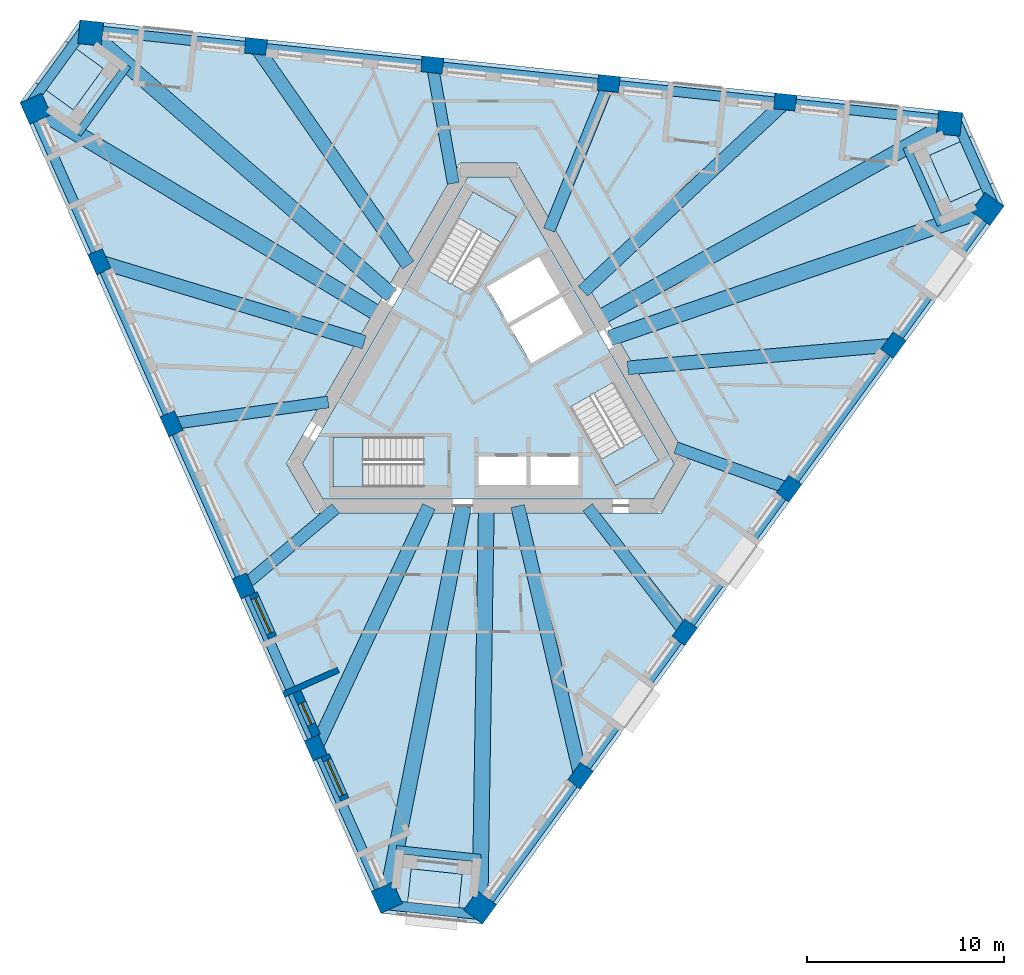
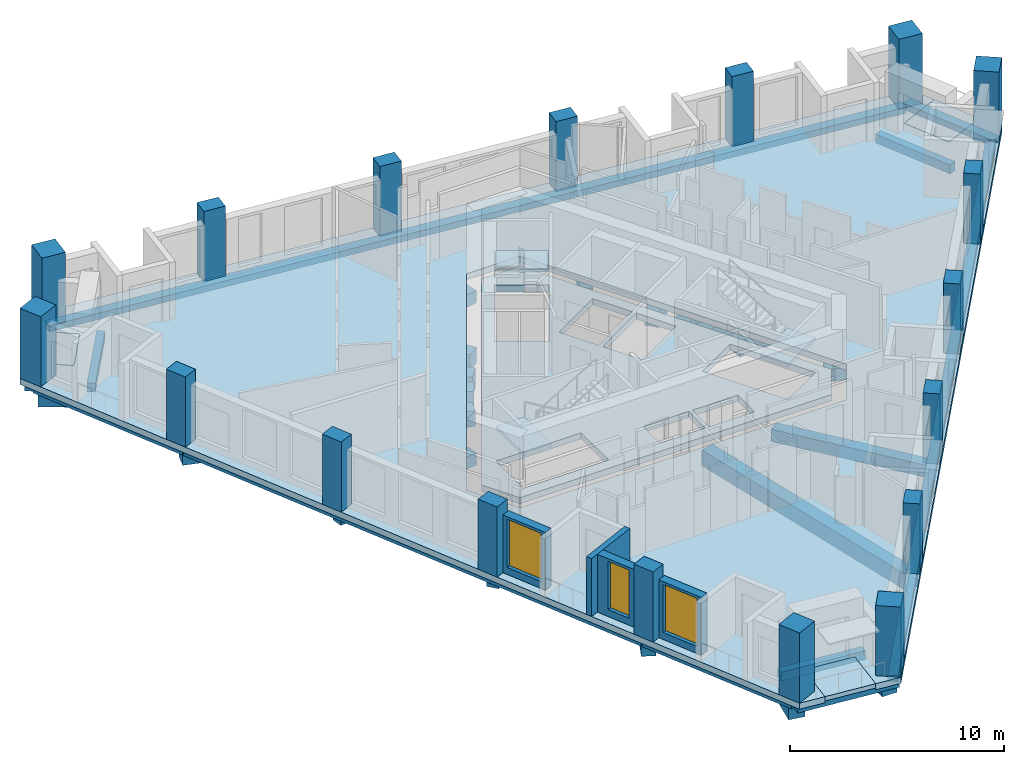
# One storey, part 1 of 11: 27 beams, 18 columns, 8 slabs, 4 walls, 3 windows, 3 openings, 3 elements without a shape of their own.
"""IFC4 building model written with IfcOpenShell, lengths in metres."""

from ifc_helpers import new_model, si_unit, direction, frame, frame_2d, origin, origin_2d, place, context, subcontext, project, spatial, polyline, rectangle, outline, extrude, material, layer, layer_set, material_profile, profile_set, type_object, element, fill, aggregate, save


model = new_model("IFC4")

# Units and contexts
model_context = context("Model", 3, precision=1e-05, world=origin(), true_north=direction((0.0, 1.0)))
body_context = subcontext(model_context, "Body", "Model", "MODEL_VIEW")
ifc_project = project(units=[si_unit("LENGTHUNIT", "METRE"), si_unit("AREAUNIT", "SQUARE_METRE"), si_unit("VOLUMEUNIT", "CUBIC_METRE"), si_unit("PLANEANGLEUNIT", "RADIAN"), si_unit("MASSUNIT", "GRAM", prefix="KILO")], contexts=[model_context])

# Site, building, storey
site_placement = place(None, origin())
site = spatial("IfcSite", under=ifc_project, at=site_placement, CompositionType="ELEMENT")
building_placement = place(site_placement, origin())
building = spatial("IfcBuilding", under=site, at=building_placement, Name="Tramontana Tower", CompositionType="ELEMENT")
storey_placement = place(building_placement, frame((0.0, 0.0, 261.199951171875)))
storey = spatial("IfcBuildingStorey", under=building, at=storey_placement, Name="L61", CompositionType="ELEMENT", Elevation=261.199951171875)

# Columns
ifc_material_1 = material(Name="Concrete 55 MPa", Category="concrete")
ifc_material_profile_1 = material_profile(ifc_material_1, rectangle(XDim=1.199951171875, YDim=1.199951171875, at=origin_2d()), Name="Mega column 1200X1200 55 MPa")
ifc_profile_set_1 = profile_set([ifc_material_profile_1], Name="Concrete 55 MPa")
column_type_1 = type_object("IfcColumnType", Name="Mega column 1200X1200 55 MPa", PredefinedType="COLUMN", material=ifc_profile_set_1)
for number, where, z_axis, x_axis, name in (
    (1, (-22.98291015625, 13.758056640625, 0.0), (0.0, 0.0, 1.0), (0.406736643076, -0.913545457643, 0.0), "Mega column C6K1 L61"),
    (2, (-5.154296875, -26.28564453125, 0.0), (0.0, 0.0, 1.0), (0.406736643076, -0.913545457643, 0.0), "Mega column C6K2 L61"),
    (3, (-0.42333984375, -26.782958984375, 0.0), (0.0, 0.0, 1.0), (0.587785252292, 0.809016994375, 0.0), "Mega column C6K3 L61"),
    (4, (25.341064453125, 8.678955078125, 0.0), (0.0, 0.0, 1.0), (0.587785252292, 0.809016994375, 0.0), "Mega column C6K4 L61"),
    (5, (23.40625, 13.024658203125, 0.0), (0.0, 0.0, 1.0), (-0.994521895368, 0.104528463268, 0.0), "Mega column C6K5 L61"),
    (6, (-20.186767578125, 17.6064453125, 0.0), (0.0, 0.0, 1.0), (-0.994521895368, 0.104528463268, 0.0), "Mega column C6K6 L61"),
):
    element("IfcColumn", number, at=place(storey_placement, frame(where, z_axis=z_axis, x_axis=x_axis)), inside=storey, type_object=column_type_1, Name=name, PredefinedType="COLUMN", context=body_context, shape_type="SweptSolid", body=[
        extrude(rectangle(XDim=1.199951171875, YDim=1.199951171875, at=origin_2d()), origin(), (0.0, 0.0, 1.0), 4.0),
    ])
ifc_material_2 = material(Name="Concrete 55 MPa", Category="concrete")
ifc_material_profile_2 = material_profile(ifc_material_2, rectangle(XDim=1.10009765625, YDim=0.800048828125, at=origin_2d()), Name="Pier column 1100X800 55 MPa")
ifc_profile_set_2 = profile_set([ifc_material_profile_2], Name="Concrete 55 MPa")
column_type_2 = type_object("IfcColumnType", Name="Pier column 1100X800 55 MPa", PredefinedType="COLUMN", material=ifc_profile_set_2)
for number, where, z_axis, x_axis, name in (
    (7, (-19.746337890625, 5.996826171875, 0.0), (0.0, 0.0, 1.0), (0.406736643076, -0.913545457643, 0.0), "Pier column C6F01 L61"),
    (8, (-16.0830078125, -2.231201171875, 0.0), (0.0, 0.0, 1.0), (0.406736643076, -0.913545457643, 0.0), "Pier column C6F02 L61"),
    (9, (-12.419677734375, -10.458984375, 0.0), (0.0, 0.0, 1.0), (0.406736643076, -0.913545457643, 0.0), "Pier column C6F03 L61"),
    (10, (-8.75634765625, -18.68701171875, 0.0), (0.0, 0.0, 1.0), (0.406736643076, -0.913545457643, 0.0), "Pier column C6F04 L61"),
    (11, (4.6796875, -20.099365234375, 0.0), (0.0, 0.0, 1.0), (0.587785252292, 0.809016994375, 0.0), "Pier column C6F05 L61"),
    (12, (9.9736328125, -12.812744140625, 0.0), (0.0, 0.0, 1.0), (0.587785252292, 0.809016994375, 0.0), "Pier column C6F06 L61"),
    (13, (15.267578125, -5.526123046875, 0.0), (0.0, 0.0, 1.0), (0.587785252292, 0.809016994375, 0.0), "Pier column C6F07 L61"),
    (14, (20.5615234375, 1.76025390625, 0.0), (0.0, 0.0, 1.0), (0.587785252292, 0.809016994375, 0.0), "Pier column C6F08 L61"),
    (15, (15.066650390625, 14.102294921875, 0.0), (0.0, 0.0, 1.0), (-0.994521895368, 0.104528463268, 0.0), "Pier column C6F09 L61"),
    (16, (6.109375, 15.043701171875, 0.0), (0.0, 0.0, 1.0), (-0.994521895368, 0.104528463268, 0.0), "Pier column C6F10 L61"),
    (17, (-2.847900390625, 15.9853515625, 0.0), (0.0, 0.0, 1.0), (-0.994521895368, 0.104528463268, 0.0), "Pier column C6F11 L61"),
    (18, (-11.805419921875, 16.9267578125, 0.0), (0.0, 0.0, 1.0), (-0.994521895368, 0.104528463268, 0.0), "Pier column C6F12 L61"),
):
    element("IfcColumn", number, at=place(storey_placement, frame(where, z_axis=z_axis, x_axis=x_axis)), inside=storey, type_object=column_type_2, Name=name, PredefinedType="COLUMN", context=body_context, shape_type="SweptSolid", body=[
        extrude(rectangle(XDim=1.10009765625, YDim=0.800048828125, at=origin_2d()), origin(), (0.0, 0.0, 1.0), 4.0),
    ])

# Beams
ifc_material_3 = material(Name="Concrete 40 MPa", Category="concrete")
ifc_material_profile_3 = material_profile(ifc_material_3, rectangle(XDim=0.5, YDim=0.35009765625, at=origin_2d()), Name="RC EDGE BEAM 500X350 40 MPa")
ifc_profile_set_3 = profile_set([ifc_material_profile_3], Name="Concrete 40 MPa")
beam_type_1 = type_object("IfcBeamType", Name="RC EDGE BEAM 500X350 40 MPa", PredefinedType="SPANDREL", material=ifc_profile_set_3)
for number, where, z_axis, x_axis, name in (
    (19, (-23.119873046875, 13.697021484375, -0.52490234375), (0.406736811644, -0.913545382591, 0.0), (0.913545382591, 0.406736811644, 0.0), "Spandrel beam S0 L61"),
    (20, (-0.302001953125, -26.87109375, -0.52490234375), (0.587782498957, 0.809018994783, 0.0), (-0.809018994783, 0.587782498957, 0.0), "Spandrel beam S1 L61"),
):
    element("IfcBeam", number, at=place(storey_placement, frame(where, z_axis=z_axis, x_axis=x_axis)), inside=storey, type_object=beam_type_1, Name=name, PredefinedType="SPANDREL", context=body_context, shape_type="SweptSolid", body=[
        extrude(rectangle(XDim=0.5, YDim=0.35009765625, at=origin_2d()), origin(), (0.0, 0.0, 1.0), 43.833251953125),
    ])
beam_1_placement = place(storey_placement, frame((23.422119140625, 13.173828125, -0.52490234375), z_axis=(-0.994522012351, 0.104527350249, 0.0), x_axis=(-0.104527350249, -0.994522012351, 0.0)))
element("IfcBeam", 21, at=beam_1_placement, inside=storey, type_object=beam_type_1, Name="Spandrel beam S2 L61", PredefinedType="SPANDREL", context=body_context, shape_type="SweptSolid", body=[
    extrude(rectangle(XDim=0.5, YDim=0.35009765625, at=origin_2d()), origin(), (0.0, 0.0, 1.0), 43.83349609375),
])
for number, where, z_axis, x_axis, name in (
    (22, (-20.356689453125, 18.00146484375, -0.52490234375), (-0.587774926142, -0.809024496662, 0.0), (0.809024496662, -0.587774926142, 0.0), "Spandrel beam K0 L61"),
    (23, (-5.411376953125, -26.630126953125, -0.52490234375), (0.994520631958, -0.104540483116, 0.0), (0.104540483116, 0.994520631958, 0.0), "Spandrel beam K1 L61"),
):
    element("IfcBeam", number, at=place(storey_placement, frame(where, z_axis=z_axis, x_axis=x_axis)), inside=storey, type_object=beam_type_1, Name=name, PredefinedType="SPANDREL", context=body_context, shape_type="SweptSolid", body=[
        extrude(rectangle(XDim=0.5, YDim=0.35009765625, at=origin_2d()), origin(), (0.0, 0.0, 1.0), 5.1962890625),
    ])
beam_2_placement = place(storey_placement, frame((25.76806640625, 8.62890625, -0.52490234375), z_axis=(-0.406713847213, 0.913555606674, 0.0), x_axis=(-0.913555606674, -0.406713847213, 0.0)))
element("IfcBeam", 24, at=beam_2_placement, inside=storey, type_object=beam_type_1, Name="Spandrel beam K2 L61", PredefinedType="SPANDREL", context=body_context, shape_type="SweptSolid", body=[
    extrude(rectangle(XDim=0.5, YDim=0.35009765625, at=origin_2d()), origin(), (0.0, 0.0, 1.0), 5.196044921875),
])
ifc_material_4 = material(Name="Concrete 40 MPa", Category="concrete")
ifc_material_profile_4 = material_profile(ifc_material_4, rectangle(XDim=0.60009765625, YDim=0.699951171875, at=origin_2d()), Name="RC GIRDER 600X700 40 MPa")
ifc_profile_set_4 = profile_set([ifc_material_profile_4], Name="Concrete 40 MPa")
beam_type_2 = type_object("IfcBeamType", Name="RC GIRDER 600X700 40 MPa", PredefinedType="BEAM", material=ifc_profile_set_4)
beam_3_placement = place(storey_placement, frame((-16.0830078125, -2.231201171875, -0.699951171875), z_axis=(0.990511014631, 0.13743336529, 0.0), x_axis=(-0.13743336529, 0.990511014631, 0.0)))
element("IfcBeam", 25, at=beam_3_placement, inside=storey, type_object=beam_type_2, Name="Radial girder C6F02 L61", PredefinedType="BEAM", context=body_context, shape_type="SweptSolid", body=[
    extrude(rectangle(XDim=0.60009765625, YDim=0.699951171875, at=origin_2d()), origin(), (0.0, 0.0, 1.0), 8.032958984375),
])
beam_4_placement = place(storey_placement, frame((-12.419677734375, -10.458984375, -0.699951171875), z_axis=(0.7648987601, 0.644150515638, 0.0), x_axis=(-0.644150515638, 0.7648987601, 0.0)))
element("IfcBeam", 26, at=beam_4_placement, inside=storey, type_object=beam_type_2, Name="Radial girder C6F03 L61", PredefinedType="BEAM", context=body_context, shape_type="SweptSolid", body=[
    extrude(rectangle(XDim=0.60009765625, YDim=0.699951171875, at=origin_2d()), origin(), (0.0, 0.0, 1.0), 6.108154296875),
])
beam_5_placement = place(storey_placement, frame((9.9736328125, -12.812744140625, -0.699951171875), z_axis=(-0.614258279955, 0.789105040857, 0.0), x_axis=(-0.789105040857, -0.614258279955, 0.0)))
element("IfcBeam", 27, at=beam_5_placement, inside=storey, type_object=beam_type_2, Name="Radial girder C6F06 L61", PredefinedType="BEAM", context=body_context, shape_type="SweptSolid", body=[
    extrude(rectangle(XDim=0.60009765625, YDim=0.699951171875, at=origin_2d()), origin(), (0.0, 0.0, 1.0), 8.032958984375),
])
beam_6_placement = place(storey_placement, frame((15.267578125, -5.526123046875, -0.699951171875), z_axis=(-0.940300037895, 0.34034664496, 0.0), x_axis=(-0.34034664496, -0.940300037895, 0.0)))
element("IfcBeam", 28, at=beam_6_placement, inside=storey, type_object=beam_type_2, Name="Radial girder C6F07 L61", PredefinedType="BEAM", context=body_context, shape_type="SweptSolid", body=[
    extrude(rectangle(XDim=0.60009765625, YDim=0.699951171875, at=origin_2d()), origin(), (0.0, 0.0, 1.0), 6.108154296875),
])
beam_7_placement = place(storey_placement, frame((6.109375, 15.043701171875, -0.699951171875), z_axis=(-0.376258836782, -0.92651459122, 0.0), x_axis=(0.92651459122, -0.376258836782, 0.0)))
element("IfcBeam", 29, at=beam_7_placement, inside=storey, type_object=beam_type_2, Name="Radial girder C6F10 L61", PredefinedType="BEAM", context=body_context, shape_type="SweptSolid", body=[
    extrude(rectangle(XDim=0.60009765625, YDim=0.699951171875, at=origin_2d()), origin(), (0.0, 0.0, 1.0), 8.032958984375),
])
beam_8_placement = place(storey_placement, frame((-2.847900390625, 15.9853515625, -0.699951171875), z_axis=(0.175388058889, -0.984499379786, 0.0), x_axis=(0.984499379786, 0.175388058889, 0.0)))
element("IfcBeam", 30, at=beam_8_placement, inside=storey, type_object=beam_type_2, Name="Radial girder C6F11 L61", PredefinedType="BEAM", context=body_context, shape_type="SweptSolid", body=[
    extrude(rectangle(XDim=0.60009765625, YDim=0.699951171875, at=origin_2d()), origin(), (0.0, 0.0, 1.0), 6.108154296875),
])
ifc_material_5 = material(Name="Concrete 40 MPa", Category="concrete")
ifc_material_profile_5 = material_profile(ifc_material_5, rectangle(XDim=0.699951171875, YDim=0.89990234375, at=origin_2d()), Name="RC GIRDER 700X900 40 MPa")
ifc_profile_set_5 = profile_set([ifc_material_profile_5], Name="Concrete 40 MPa")
beam_type_3 = type_object("IfcBeamType", Name="RC GIRDER 700X900 40 MPa", PredefinedType="BEAM", material=ifc_profile_set_5)
beam_9_placement = place(storey_placement, frame((-19.746337890625, 5.996826171875, -0.800048828125), z_axis=(0.956850397844, -0.290580997566, 0.0), x_axis=(0.290580997566, 0.956850397844, 0.0)))
element("IfcBeam", 31, at=beam_9_placement, inside=storey, type_object=beam_type_3, Name="Radial girder C6F01 L61", PredefinedType="BEAM", context=body_context, shape_type="SweptSolid", body=[
    extrude(rectangle(XDim=0.699951171875, YDim=0.89990234375, at=origin_2d()), origin(), (0.0, 0.0, 1.0), 14.05615234375),
])
beam_10_placement = place(storey_placement, frame((-8.75634765625, -18.68701171875, -0.800048828125), z_axis=(0.424308147915, 0.90551786046, 0.0), x_axis=(-0.90551786046, 0.424308147915, 0.0)))
element("IfcBeam", 32, at=beam_10_placement, inside=storey, type_object=beam_type_3, Name="Radial girder C6F04 L61", PredefinedType="BEAM", context=body_context, shape_type="SweptSolid", body=[
    extrude(rectangle(XDim=0.699951171875, YDim=0.89990234375, at=origin_2d()), origin(), (0.0, 0.0, 1.0), 13.532470703125),
])
beam_11_placement = place(storey_placement, frame((4.6796875, -20.099365234375, -0.800048828125), z_axis=(-0.22676563163, 0.973949356133, 0.0), x_axis=(-0.973949356133, -0.22676563163, 0.0)))
element("IfcBeam", 33, at=beam_11_placement, inside=storey, type_object=beam_type_3, Name="Radial girder C6F05 L61", PredefinedType="BEAM", context=body_context, shape_type="SweptSolid", body=[
    extrude(rectangle(XDim=0.699951171875, YDim=0.89990234375, at=origin_2d()), origin(), (0.0, 0.0, 1.0), 14.056396484375),
])
beam_12_placement = place(storey_placement, frame((20.5615234375, 1.760498046875, -0.800048828125), z_axis=(-0.996353926175, -0.085316198904, 0.0), x_axis=(0.085316198904, -0.996353926175, 0.0)))
element("IfcBeam", 34, at=beam_12_placement, inside=storey, type_object=beam_type_3, Name="Radial girder C6F08 L61", PredefinedType="BEAM", context=body_context, shape_type="SweptSolid", body=[
    extrude(rectangle(XDim=0.699951171875, YDim=0.89990234375, at=origin_2d()), origin(), (0.0, 0.0, 1.0), 13.532470703125),
])
beam_13_placement = place(storey_placement, frame((15.066650390625, 14.102294921875, -0.800048828125), z_axis=(-0.730089981105, -0.683351022162, 0.0), x_axis=(0.683351022162, -0.730089981105, 0.0)))
element("IfcBeam", 35, at=beam_13_placement, inside=storey, type_object=beam_type_3, Name="Radial girder C6F09 L61", PredefinedType="BEAM", context=body_context, shape_type="SweptSolid", body=[
    extrude(rectangle(XDim=0.699951171875, YDim=0.89990234375, at=origin_2d()), origin(), (0.0, 0.0, 1.0), 14.056396484375),
])
beam_14_placement = place(storey_placement, frame((-11.805419921875, 16.9267578125, -0.800048828125), z_axis=(0.5720593984, -0.820212194924, 0.0), x_axis=(0.820212194924, 0.5720593984, 0.0)))
element("IfcBeam", 36, at=beam_14_placement, inside=storey, type_object=beam_type_3, Name="Radial girder C6F12 L61", PredefinedType="BEAM", context=body_context, shape_type="SweptSolid", body=[
    extrude(rectangle(XDim=0.699951171875, YDim=0.89990234375, at=origin_2d()), origin(), (0.0, 0.0, 1.0), 13.53271484375),
])
ifc_material_6 = material(Name="Concrete 40 MPa", Category="concrete")
ifc_material_profile_6 = material_profile(ifc_material_6, rectangle(XDim=0.800048828125, YDim=1.10009765625, at=origin_2d()), Name="RC GIRDER 800X1100 40 MPa")
ifc_profile_set_6 = profile_set([ifc_material_profile_6], Name="Concrete 40 MPa")
beam_type_4 = type_object("IfcBeamType", Name="RC GIRDER 800X1100 40 MPa", PredefinedType="BEAM", material=ifc_profile_set_6)
beam_15_placement = place(storey_placement, frame((-22.98291015625, 13.758056640625, -0.89990234375), z_axis=(0.858014507948, -0.513625451229, 0.0), x_axis=(0.513625451229, 0.858014507948, 0.0)))
element("IfcBeam", 37, at=beam_15_placement, inside=storey, type_object=beam_type_4, Name="Radial girder C6K1 L61", PredefinedType="BEAM", context=body_context, shape_type="SweptSolid", body=[
    extrude(rectangle(XDim=0.800048828125, YDim=1.10009765625, at=origin_2d()), origin(), (0.0, 0.0, 1.0), 20.385498046875),
])
beam_16_placement = place(storey_placement, frame((-5.154296875, -26.28564453125, -0.89990234375), z_axis=(0.192429707164, 0.981310760056, 0.0), x_axis=(-0.981310760056, 0.192429707164, 0.0)))
element("IfcBeam", 38, at=beam_16_placement, inside=storey, type_object=beam_type_4, Name="Radial girder C6K2 L61", PredefinedType="BEAM", context=body_context, shape_type="SweptSolid", body=[
    extrude(rectangle(XDim=0.800048828125, YDim=1.10009765625, at=origin_2d()), origin(), (0.0, 0.0, 1.0), 20.2578125),
])
beam_17_placement = place(storey_placement, frame((-0.42333984375, -26.78271484375, -0.89990234375), z_axis=(0.015796706362, 0.99987522425, 0.0), x_axis=(-0.99987522425, 0.015796706362, 0.0)))
element("IfcBeam", 39, at=beam_17_placement, inside=storey, type_object=beam_type_4, Name="Radial girder C6K3 L61", PredefinedType="BEAM", context=body_context, shape_type="SweptSolid", body=[
    extrude(rectangle(XDim=0.800048828125, YDim=1.10009765625, at=origin_2d()), origin(), (0.0, 0.0, 1.0), 20.38525390625),
])
beam_18_placement = place(storey_placement, frame((25.34130859375, 8.67919921875, -0.89990234375), z_axis=(-0.946050478935, -0.324019276136, 0.0), x_axis=(0.324019276136, -0.946050478935, 0.0)))
element("IfcBeam", 40, at=beam_18_placement, inside=storey, type_object=beam_type_4, Name="Radial girder C6K4 L61", PredefinedType="BEAM", context=body_context, shape_type="SweptSolid", body=[
    extrude(rectangle(XDim=0.800048828125, YDim=1.10009765625, at=origin_2d()), origin(), (0.0, 0.0, 1.0), 20.258056640625),
])
beam_19_placement = place(storey_placement, frame((23.40625, 13.024658203125, -0.89990234375), z_axis=(-0.873818675449, -0.486251912528, 0.0), x_axis=(0.486251912528, -0.873818675449, 0.0)))
element("IfcBeam", 41, at=beam_19_placement, inside=storey, type_object=beam_type_4, Name="Radial girder C6K5 L61", PredefinedType="BEAM", context=body_context, shape_type="SweptSolid", body=[
    extrude(rectangle(XDim=0.800048828125, YDim=1.10009765625, at=origin_2d()), origin(), (0.0, 0.0, 1.0), 20.38525390625),
])
beam_20_placement = place(storey_placement, frame((-20.18701171875, 17.606689453125, -0.89990234375), z_axis=(0.753629135933, -0.657299874846, 0.0), x_axis=(0.657299874846, 0.753629135933, 0.0)))
element("IfcBeam", 42, at=beam_20_placement, inside=storey, type_object=beam_type_4, Name="Radial girder C6K6 L61", PredefinedType="BEAM", context=body_context, shape_type="SweptSolid", body=[
    extrude(rectangle(XDim=0.800048828125, YDim=1.10009765625, at=origin_2d()), origin(), (0.0, 0.0, 1.0), 20.2578125),
])
ifc_material_7 = material(Name="Concrete 40 MPa", Category="concrete")
ifc_material_profile_7 = material_profile(ifc_material_7, rectangle(XDim=0.39990234375, YDim=0.5, at=origin_2d()), Name="RC TRIM BEAM 400X500 40 MPa")
ifc_profile_set_7 = profile_set([ifc_material_profile_7], Name="Concrete 40 MPa")
beam_type_5 = type_object("IfcBeamType", Name="RC TRIM BEAM 400X500 40 MPa", PredefinedType="JOIST", material=ifc_profile_set_7)
for number, where, z_axis, x_axis, name in (
    (43, (-18.310302734375, 15.9697265625, -0.599853515625), (-0.587744325324, -0.809046727976, 0.0), (0.809046727976, -0.587744325324, 0.0), "Trimmer beam K0 L61"),
    (44, (-4.675048828125, -23.841796875, -0.599853515625), (0.994517847883, -0.104566965344, 0.0), (0.104566965344, 0.994517847883, 0.0), "Trimmer beam K1 L61"),
    (45, (22.9853515625, 7.872314453125, -0.599853515625), (-0.406773611719, 0.913528997246, 0.0), (-0.913528997246, -0.406773611719, 0.0), "Trimmer beam K2 L61"),
):
    element("IfcBeam", number, at=place(storey_placement, frame(where, z_axis=z_axis, x_axis=x_axis)), inside=storey, type_object=beam_type_5, Name=name, PredefinedType="JOIST", context=body_context, shape_type="SweptSolid", body=[
        extrude(rectangle(XDim=0.39990234375, YDim=0.5, at=origin_2d()), origin(), (0.0, 0.0, 1.0), 4.314697265625),
    ])

# Slabs
ifc_material_8 = material(Name="Precast concrete 50 MPa", Category="concrete")
ifc_layer_1 = layer(ifc_material_8, 0.25)
ifc_layer_set_1 = layer_set([ifc_layer_1], Name="LT1 Loggia floor tray 250")
slab_type_1 = type_object("IfcSlabType", Name="LT1 Loggia floor tray 250", PredefinedType="FLOOR", material=ifc_layer_set_1)
slab_1_placement = place(storey_placement, frame((0.0, 0.0, -0.25)))
element("IfcSlab", 46, at=slab_1_placement, inside=storey, type_object=slab_type_1, Name="Corner loggia floor L61 K60", PredefinedType="FLOOR", context=body_context, shape_type="SweptSolid", body=[
    extrude(outline(polyline([(-21.48388671875, 17.2158203125), (-19.542236328125, 15.80517578125), (-21.070556640625, 13.70166015625), (-23.01220703125, 15.1123046875), (-21.48388671875, 17.2158203125)])), origin(), (0.0, 0.0, 1.0), 0.25),
])
slab_2_placement = place(storey_placement, frame((0.0, 0.0, -0.25)))
element("IfcSlab", 47, at=slab_2_placement, inside=storey, type_object=slab_type_1, Name="Corner loggia floor L61 K61", PredefinedType="FLOOR", context=body_context, shape_type="SweptSolid", body=[
    extrude(outline(polyline([(-4.16748046875, -27.21337890625), (-3.91650390625, -24.82666015625), (-1.330810546875, -25.098388671875), (-1.58154296875, -27.4853515625), (-4.16748046875, -27.21337890625)])), origin(), (0.0, 0.0, 1.0), 0.25),
])
slab_3_placement = place(storey_placement, frame((0.0, 0.0, -0.25)))
element("IfcSlab", 48, at=slab_3_placement, inside=storey, type_object=slab_type_1, Name="Corner loggia floor L61 K62", PredefinedType="FLOOR", context=body_context, shape_type="SweptSolid", body=[
    extrude(outline(polyline([(25.6513671875, 9.99755859375), (23.458740234375, 9.021484375), (22.401123046875, 11.396728515625), (24.59375, 12.372802734375), (25.6513671875, 9.99755859375)])), origin(), (0.0, 0.0, 1.0), 0.25),
])
ifc_material_9 = material(Name="Concrete 40 MPa", Category="concrete")
ifc_layer_2 = layer(ifc_material_9, 0.35009765625)
ifc_layer_set_2 = layer_set([ifc_layer_2], Name="PT FLAT SLAB 350 40 MPa")
slab_type_2 = type_object("IfcSlabType", Name="PT FLAT SLAB 350 40 MPa", PredefinedType="FLOOR", material=ifc_layer_set_2)
slab_4_placement = place(storey_placement, frame((0.0, 0.0, -0.349853515625)))
element("IfcSlab", 49, at=slab_4_placement, inside=storey, type_object=slab_type_2, Name="Floor slab L61", PredefinedType="FLOOR", context=body_context, shape_type="SweptSolid", body=[
    extrude(outline(polyline([(24.59375, 12.372802734375), (22.401123046875, 11.396728515625), (23.458740234375, 9.021484375), (25.6513671875, 9.99755859375), (26.17919921875, 8.811767578125), (-0.290771484375, -27.620849609375), (-1.581787109375, -27.485107421875), (-1.330810546875, -25.098388671875), (-3.91650390625, -24.82666015625), (-4.16748046875, -27.21337890625), (-5.45849609375, -27.077880859375), (-23.775146484375, 14.062255859375), (-23.01220703125, 15.1123046875), (-21.0703125, 13.70166015625), (-19.542236328125, 15.80517578125), (-21.48388671875, 17.2158203125), (-20.720947265625, 18.26611328125), (24.06591796875, 13.55859375), (24.59375, 12.372802734375)]), holes=[polyline([(-10.248046875, -4.25), (-8.8046875, -6.75), (8.8046875, -6.75), (10.248046875, -4.25), (1.443359375, 11.0), (-1.443359375, 11.0), (-10.248046875, -4.25)])]), origin(), (0.0, 0.0, 1.0), 0.349853515625),
])
slab_5_placement = place(storey_placement, frame((0.0, 0.0, -0.349853515625)))
element("IfcSlab", 50, at=slab_5_placement, inside=storey, type_object=slab_type_2, Name="Core floor slab L61", PredefinedType="FLOOR", context=body_context, shape_type="SweptSolid", body=[
    extrude(outline(polyline([(9.439697265625, -4.25), (8.400390625, -6.050048828125), (-8.400390625, -6.050048828125), (-9.439697265625, -4.25), (-1.039306640625, 10.300048828125), (1.039306640625, 10.300048828125), (9.439697265625, -4.25)]), holes=[polyline([(8.659912109375, -4.099365234375), (6.35986328125, -0.115478515625), (4.151611328125, -1.390625), (6.451416015625, -5.374267578125), (8.659912109375, -4.099365234375)]), polyline([(3.829833984375, 4.2666015625), (1.101806640625, 2.69140625), (2.177001953125, 0.82958984375), (4.90478515625, 2.404541015625), (3.829833984375, 4.2666015625)]), polyline([(4.590087890625, -3.89990234375), (2.139892578125, -3.89990234375), (2.139892578125, -5.449951171875), (4.590087890625, -5.449951171875), (4.590087890625, -3.89990234375)]), polyline([(2.65478515625, 6.3017578125), (-0.072998046875, 4.726806640625), (1.001953125, 2.86474609375), (3.729736328125, 4.439697265625), (2.65478515625, 6.3017578125)]), polyline([(1.93994140625, -5.449951171875), (1.93994140625, -3.89990234375), (-0.510009765625, -3.89990234375), (-0.510009765625, -5.449951171875), (1.93994140625, -5.449951171875)]), polyline([(-0.77978515625, 9.54931640625), (-3.079833984375, 5.565673828125), (-0.87158203125, 4.29052734375), (1.428466796875, 8.2744140625), (-0.77978515625, 9.54931640625)]), polyline([(-7.8798828125, -5.449951171875), (-3.280029296875, -5.449951171875), (-3.280029296875, -2.89990234375), (-7.8798828125, -2.89990234375), (-7.8798828125, -5.449951171875)])]), origin(), (0.0, 0.0, 1.0), 0.349853515625),
])

# Stair, slab
ifc_material_10 = material(Name="Concrete 40 MPa", Category="concrete")
stair_type = type_object("IfcStairType", Name="EXIT STAIR 24 RISERS", PredefinedType="HALF_TURN_STAIR", material=ifc_material_10)
stair_1_placement = place(storey_placement, origin())
stair_1 = element("IfcStair", 51, at=stair_1_placement, inside=storey, type_object=stair_type, Name="L61 Exit stair ST1", PredefinedType="HALF_TURN_STAIR")
ifc_material_11 = material(Name="Concrete 40 MPa", Category="concrete")
ifc_layer_3 = layer(ifc_material_11, 0.199951171875)
ifc_layer_set_3 = layer_set([ifc_layer_3], Name="STAIR LANDING 200")
slab_type_3 = type_object("IfcSlabType", Name="STAIR LANDING 200", PredefinedType="LANDING", material=ifc_layer_set_3)
slab_6_placement = place(storey_placement, frame((0.0, 0.0, 1.800048828125)))
slab_6 = element("IfcSlab", 52, at=slab_6_placement, type_object=slab_type_3, Name="ST1 landing 1", PredefinedType="LANDING", context=body_context, shape_type="SweptSolid", body=[
    extrude(outline(polyline([(0.66845703125, 6.9580078125), (1.428466796875, 8.274169921875), (-0.77978515625, 9.54931640625), (-1.539794921875, 8.23291015625), (0.66845703125, 6.9580078125)])), origin(), (0.0, 0.0, 1.0), 0.199951171875),
])
aggregate(stair_1, [slab_6])

stair_2_placement = place(storey_placement, origin())
stair_2 = element("IfcStair", 53, at=stair_2_placement, inside=storey, type_object=stair_type, Name="L61 Exit stair ST2", PredefinedType="HALF_TURN_STAIR")
slab_7_placement = place(storey_placement, frame((0.0, 0.0, 1.800048828125)))
slab_7 = element("IfcSlab", 54, at=slab_7_placement, type_object=slab_type_3, Name="ST2 landing 1", PredefinedType="LANDING", context=body_context, shape_type="SweptSolid", body=[
    extrude(outline(polyline([(-6.360107421875, -2.89990234375), (-7.8798828125, -2.89990234375), (-7.8798828125, -5.449951171875), (-6.360107421875, -5.449951171875), (-6.360107421875, -2.89990234375)])), origin(), (0.0, 0.0, 1.0), 0.199951171875),
])
aggregate(stair_2, [slab_7])

stair_3_placement = place(storey_placement, origin())
stair_3 = element("IfcStair", 55, at=stair_3_placement, inside=storey, type_object=stair_type, Name="L61 Exit stair ST3", PredefinedType="HALF_TURN_STAIR")
slab_8_placement = place(storey_placement, frame((0.0, 0.0, 1.800048828125)))
slab_8 = element("IfcSlab", 56, at=slab_8_placement, type_object=slab_type_3, Name="ST3 landing 1", PredefinedType="LANDING", context=body_context, shape_type="SweptSolid", body=[
    extrude(outline(polyline([(5.69140625, -4.057861328125), (6.451416015625, -5.374267578125), (8.659912109375, -4.099365234375), (7.89990234375, -2.782958984375), (5.69140625, -4.057861328125)])), origin(), (0.0, 0.0, 1.0), 0.199951171875),
])
aggregate(stair_3, [slab_8])

# Wall, opening, window
ifc_material_12 = material(Name="Precast concrete 60 MPa", Category="concrete")
ifc_layer_4 = layer(ifc_material_12, 0.449951171875)
ifc_layer_set_4 = layer_set([ifc_layer_4], Name="Precast concrete 60 MPa, 450 mm")
wall_type_1 = type_object("IfcWallType", Name="EW1 Stone-faced precast wall 450", PredefinedType="SOLIDWALL", material=ifc_layer_set_4)
wall_1_placement = place(storey_placement, frame((-11.94482421875, -10.849609375, 0.0), z_axis=(0.0, 0.0, 1.0), x_axis=(0.406784963852, -0.913523942316, 0.0)))
wall_1 = element("IfcWall", 57, at=wall_1_placement, inside=storey, type_object=wall_type_1, Name="External wall L61 face 0 bay 4", PredefinedType="SOLIDWALL", context=body_context, shape_type="SweptSolid", body=[
    extrude(rectangle(XDim=2.452392578125, YDim=0.449951171875, at=frame_2d((1.22607421875, 0.0))), origin(), (0.0, 0.0, 1.0), 3.300048828125),
])
opening_1_placement = place(wall_1_placement, frame((0.251220703125, 0.0, 0.39990234375)))
opening_1 = element("IfcOpeningElement", 58, at=opening_1_placement, cuts=wall_1, Name="Opening M3", PredefinedType="OPENING", context=body_context, shape_type="SweptSolid", body=[
    extrude(rectangle(XDim=1.949951171875, YDim=2.75, at=frame_2d((0.97509765625, 1.375))), frame((0.0, 0.23486328125, 0.0), z_axis=(0.0, -1.0, 0.0), x_axis=(1.0, 0.0, 0.0)), (0.0, 0.0, 1.0), 0.469970703125),
])
ifc_material_13 = material(Name="Aluminum frame, double glazing unit", Category="aluminium")
window_type_1 = type_object("IfcWindowType", Name="M3 Window 1.95 x 2.75", PartitioningType="SINGLE_PANEL", PredefinedType="WINDOW", material=ifc_material_13)
window_1_placement = place(opening_1_placement, origin())
window_1 = element("IfcWindow", 59, at=window_1_placement, inside=storey, type_object=window_type_1, Name="Window M3 L61 face 0 module 10", OverallHeight=2.75, OverallWidth=1.949951171875, PartitioningType="SINGLE_PANEL", PredefinedType="WINDOW", context=body_context, shape_type="SweptSolid", body=[
    extrude(rectangle(XDim=1.949951171875, YDim=2.75, at=frame_2d((0.97509765625, 1.375))), frame((0.0, 0.030029296875, 0.0), z_axis=(0.0, -1.0, 0.0), x_axis=(1.0, 0.0, 0.0)), (0.0, 0.0, 1.0), 0.06005859375),
])
fill(opening_1, window_1)

wall_2_placement = place(storey_placement, frame((-9.72607421875, -15.83251953125, 0.0), z_axis=(0.0, 0.0, 1.0), x_axis=(0.406701876909, -0.913560935745, 0.0)))
wall_2 = element("IfcWall", 60, at=wall_2_placement, inside=storey, type_object=wall_type_1, Name="External wall L61 face 0 bay 4", PredefinedType="SOLIDWALL", context=body_context, shape_type="SweptSolid", body=[
    extrude(rectangle(XDim=2.4521484375, YDim=0.449951171875, at=frame_2d((1.22607421875, 0.0))), origin(), (0.0, 0.0, 1.0), 3.300048828125),
])
opening_2_placement = place(wall_2_placement, frame((0.626220703125, 0.0, 0.39990234375)))
opening_2 = element("IfcOpeningElement", 61, at=opening_2_placement, cuts=wall_2, Name="Opening N3", PredefinedType="OPENING", context=body_context, shape_type="SweptSolid", body=[
    extrude(rectangle(XDim=1.199951171875, YDim=2.75, at=frame_2d((0.60009765625, 1.375))), frame((0.0, 0.23486328125, 0.0), z_axis=(0.0, -1.0, 0.0), x_axis=(1.0, 0.0, 0.0)), (0.0, 0.0, 1.0), 0.469970703125),
])
ifc_material_14 = material(Name="Aluminum frame, double glazing unit", Category="aluminium")
window_type_2 = type_object("IfcWindowType", Name="N3 Window 1.2 x 2.75", PartitioningType="SINGLE_PANEL", PredefinedType="WINDOW", material=ifc_material_14)
window_2_placement = place(opening_2_placement, origin())
window_2 = element("IfcWindow", 62, at=window_2_placement, inside=storey, type_object=window_type_2, Name="Window N3 L61 face 0 module 12", OverallHeight=2.75, OverallWidth=1.199951171875, PartitioningType="SINGLE_PANEL", PredefinedType="WINDOW", context=body_context, shape_type="SweptSolid", body=[
    extrude(rectangle(XDim=1.199951171875, YDim=2.75, at=frame_2d((0.60009765625, 1.375))), frame((0.0, 0.030029296875, 0.0), z_axis=(0.0, -1.0, 0.0), x_axis=(1.0, 0.0, 0.0)), (0.0, 0.0, 1.0), 0.06005859375),
])
fill(opening_2, window_2)

wall_3_placement = place(storey_placement, frame((-8.28125, -19.07763671875, 0.0), z_axis=(0.0, 0.0, 1.0), x_axis=(0.406701876909, -0.913560935745, 0.0)))
wall_3 = element("IfcWall", 63, at=wall_3_placement, inside=storey, type_object=wall_type_1, Name="External wall L61 face 0 bay 5", PredefinedType="SOLIDWALL", context=body_context, shape_type="SweptSolid", body=[
    extrude(rectangle(XDim=2.4521484375, YDim=0.449951171875, at=frame_2d((1.22607421875, 0.0))), origin(), (0.0, 0.0, 1.0), 3.300048828125),
])
opening_3_placement = place(wall_3_placement, frame((0.251220703125, 0.0, 0.39990234375)))
opening_3 = element("IfcOpeningElement", 64, at=opening_3_placement, cuts=wall_3, Name="Opening M3", PredefinedType="OPENING", context=body_context, shape_type="SweptSolid", body=[
    extrude(rectangle(XDim=1.949951171875, YDim=2.75, at=frame_2d((0.97509765625, 1.375))), frame((0.0, 0.23486328125, 0.0), z_axis=(0.0, -1.0, 0.0), x_axis=(1.0, 0.0, 0.0)), (0.0, 0.0, 1.0), 0.469970703125),
])
window_3_placement = place(opening_3_placement, origin())
window_3 = element("IfcWindow", 65, at=window_3_placement, inside=storey, type_object=window_type_1, Name="Window M3 L61 face 0 module 13", OverallHeight=2.75, OverallWidth=1.949951171875, PartitioningType="SINGLE_PANEL", PredefinedType="WINDOW", context=body_context, shape_type="SweptSolid", body=[
    extrude(rectangle(XDim=1.949951171875, YDim=2.75, at=frame_2d((0.97509765625, 1.375))), frame((0.0, 0.030029296875, 0.0), z_axis=(0.0, -1.0, 0.0), x_axis=(1.0, 0.0, 0.0)), (0.0, 0.0, 1.0), 0.06005859375),
])
fill(opening_3, window_3)

# Wall
ifc_material_15 = material(Name="Precast concrete 60 MPa", Category="concrete")
ifc_layer_5 = layer(ifc_material_15, 0.300048828125)
ifc_layer_set_5 = layer_set([ifc_layer_5], Name="LW1 Stone-faced loggia wall 300")
wall_type_2 = type_object("IfcWallType", Name="LW1 Stone-faced loggia wall 300", PredefinedType="SOLIDWALL", material=ifc_layer_set_5)
wall_4_placement = place(storey_placement, frame((-10.40380859375, -15.969970703125, 0.0), z_axis=(0.0, 0.0, 1.0), x_axis=(0.913557205168, 0.406710256677, 0.0)))
element("IfcWall", 66, at=wall_4_placement, inside=storey, type_object=wall_type_2, Name="Loggia return L61 G6S0.10b", PredefinedType="SOLIDWALL", context=body_context, shape_type="SweptSolid", body=[
    extrude(rectangle(XDim=3.050048828125, YDim=0.300048828125, at=frame_2d((1.52490234375, 0.0))), origin(), (0.0, 0.0, 1.0), 3.300048828125),
])

save(model, "model.ifc")
